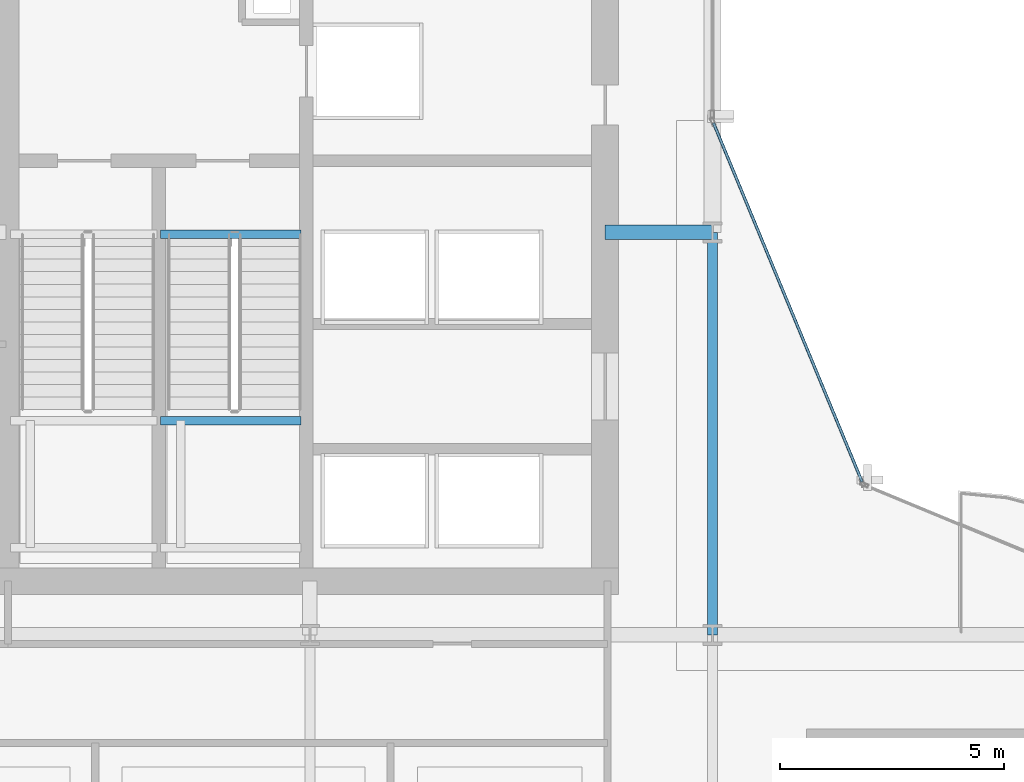
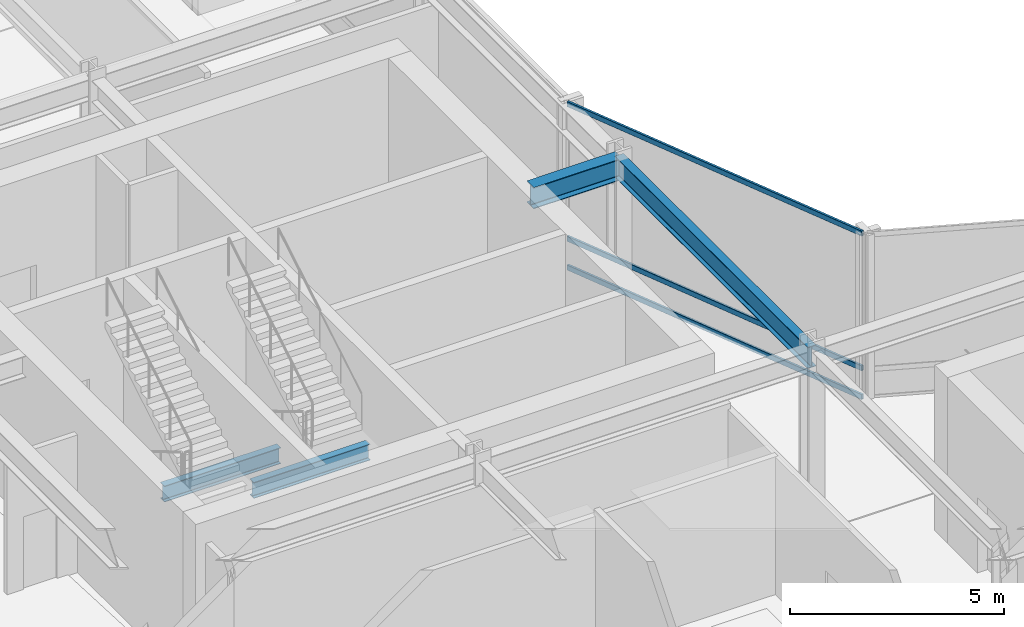
# One storey, part 22 of 39: 4 beams, 3 members, 1 element without a shape of its own.
"""IFC4 building model written with IfcOpenShell, lengths in metres."""

import ifcopenshell
import ifcopenshell.guid

model = None  # the IFC model being written
_history = None  # IfcOwnerHistory: only IFC2X3 demands one
_inside = {}  # id of a spatial element -> (the spatial element, [elements in it])
_under = {}  # id of a project, library or spatial element -> (it, [spatial elements below it])
_declared = {}  # id of a project -> (the project, [libraries it declares])
_typed = {}  # id of a type object -> (the type object, [elements of that type])
_made_of = {}  # id of a material, layer set ... -> (it, [elements and type objects made of it])


def new_model(schema):
    """Start an empty IFC model of exactly this schema.

    Asked for "IFC4X3", IfcOpenShell would pick the latest addendum, in which some entities
    have other attributes; the version numbers below select the first issue.
    IFC2X3 requires an IfcOwnerHistory on every rooted entity: one is made here for all.
    """
    global model, _history
    if schema == "IFC4X3":
        model = ifcopenshell.file(schema_version=(4, 3, 0, 0))
    else:
        model = ifcopenshell.file(schema=schema)
    _inside.clear()
    _under.clear()
    _declared.clear()
    _typed.clear()
    _made_of.clear()
    _history = None
    if model.schema == "IFC2X3":
        org = make("IfcOrganization", Name="unknown")
        user = make(
            "IfcPersonAndOrganization",
            ThePerson=make("IfcPerson", FamilyName="unknown"),
            TheOrganization=org,
        )
        app = make(
            "IfcApplication",
            ApplicationDeveloper=org,
            Version="unknown",
            ApplicationFullName="unknown",
            ApplicationIdentifier="unknown",
        )
        _history = make(
            "IfcOwnerHistory",
            OwningUser=user,
            OwningApplication=app,
            ChangeAction="ADDED",
            CreationDate=0,
        )
    return model


def make(cls, **values):
    """One entity of the class cls with the attributes given. An attribute that is None is left unset."""
    return model.create_entity(
        cls, **{name: value for name, value in values.items() if value is not None}
    )


def rooted(cls, **values):
    """An entity with a GlobalId (a new one), such as an element, a storey or a relation."""
    return make(cls, GlobalId=ifcopenshell.guid.new(), OwnerHistory=_history, **values)


def si_unit(unit_type, name, prefix=None):
    """IfcSIUnit, for example si_unit("LENGTHUNIT", "METRE", prefix="MILLI")."""
    return make("IfcSIUnit", UnitType=unit_type, Prefix=prefix, Name=name)


def assignment(units):
    """IfcUnitAssignment: the units of a project."""
    return None if units is None else make("IfcUnitAssignment", Units=units)


def point(xyz):
    """IfcCartesianPoint."""
    return None if xyz is None else make("IfcCartesianPoint", Coordinates=xyz)


def direction(xyz):
    """IfcDirection."""
    return None if xyz is None else make("IfcDirection", DirectionRatios=xyz)


def frame(location, z_axis=None, x_axis=None):
    """IfcAxis2Placement3D, a coordinate frame: its origin and axes. An axis left out is left unset."""
    return make(
        "IfcAxis2Placement3D",
        Location=point(location),
        Axis=direction(z_axis),
        RefDirection=direction(x_axis),
    )


def frame_2d(location, x_axis=None):
    """IfcAxis2Placement2D, a coordinate frame in the plane: its origin and x axis."""
    return make(
        "IfcAxis2Placement2D", Location=point(location), RefDirection=direction(x_axis)
    )


def origin():
    """The frame at (0, 0, 0) with its axes left unset."""
    return frame((0.0, 0.0, 0.0))


def origin_2d():
    """The frame at (0, 0) in the plane with its x axis left unset."""
    return frame_2d((0.0, 0.0))


def place(relative_to, where):
    """IfcLocalPlacement: puts the frame where relative to a parent placement (None: the world)."""
    return make(
        "IfcLocalPlacement", PlacementRelTo=relative_to, RelativePlacement=where
    )


def context(
    kind, dimensions, precision=None, world=None, true_north=None, identifier=None
):
    """IfcGeometricRepresentationContext, for example the 3D "Model" context."""
    return make(
        "IfcGeometricRepresentationContext",
        ContextIdentifier=identifier,
        ContextType=kind,
        CoordinateSpaceDimension=dimensions,
        Precision=precision,
        WorldCoordinateSystem=world,
        TrueNorth=true_north,
    )


def subcontext(parent, identifier, kind, view, scale=None):
    """IfcGeometricRepresentationSubContext, for example "Body" below "Model"."""
    return make(
        "IfcGeometricRepresentationSubContext",
        ContextIdentifier=identifier,
        ContextType=kind,
        ParentContext=parent,
        TargetScale=scale,
        TargetView=view,
    )


def project(units=None, contexts=None):
    """IfcProject with its units and contexts."""
    return rooted(
        "IfcProject",
        Name="project",
        RepresentationContexts=contexts,
        UnitsInContext=assignment(units),
    )


def spatial(cls, under=None, at=None, **own):
    """A site, building, storey or space (cls), placed at a placement, below another one or the project."""
    s = rooted(cls, ObjectPlacement=at, **own)
    if under is not None:
        _under.setdefault(under.id(), (under, []))[1].append(s)
    return s


def profile(cls, at=None, kind="AREA", **sizes):
    """A parametric profile (cls). Its sizes go by their IFC names, for example OverallWidth=200.0."""
    return make(cls, ProfileType=kind, Position=at, **sizes)


def hollow_rectangle(**sizes):
    """IfcRectangleHollowProfileDef."""
    return profile("IfcRectangleHollowProfileDef", **sizes)


def i_section(**sizes):
    """IfcIShapeProfileDef."""
    return profile("IfcIShapeProfileDef", **sizes)


def extrude(swept, where, along, depth):
    """IfcExtrudedAreaSolid: the profile swept, set in the frame where, extruded along a direction by depth."""
    return make(
        "IfcExtrudedAreaSolid",
        SweptArea=swept,
        Position=where,
        ExtrudedDirection=direction(along),
        Depth=depth,
    )


def shape(context_of_items, identifier, shape_type, items):
    """IfcShapeRepresentation: the items that make up one representation, for example the "Body"."""
    return make(
        "IfcShapeRepresentation",
        ContextOfItems=context_of_items,
        RepresentationIdentifier=identifier,
        RepresentationType=shape_type,
        Items=items,
    )


def material(Name=None, Category=None):
    """IfcMaterial."""
    return make("IfcMaterial", Name=Name, Category=Category)


def layer(
    of_material, thickness, ventilated=None, Name=None, Category=None, Priority=None
):
    """IfcMaterialLayer: one layer of a wall or slab, of a material (None: an air gap)."""
    return make(
        "IfcMaterialLayer",
        Material=of_material,
        LayerThickness=thickness,
        IsVentilated=ventilated,
        Name=Name,
        Category=Category,
        Priority=Priority,
    )


def layer_set(layers, Name=None):
    """IfcMaterialLayerSet."""
    return make("IfcMaterialLayerSet", MaterialLayers=layers, LayerSetName=Name)


def material_profile(
    of_material, cross_section, Name=None, Category=None, Priority=None
):
    """IfcMaterialProfile: a cross section and its material."""
    return make(
        "IfcMaterialProfile",
        Name=Name,
        Material=of_material,
        Profile=cross_section,
        Priority=Priority,
        Category=Category,
    )


def profile_set(profiles, Name=None, composite=None):
    """IfcMaterialProfileSet."""
    return make(
        "IfcMaterialProfileSet",
        Name=Name,
        MaterialProfiles=profiles,
        CompositeProfile=composite,
    )


def made_of(thing, what):
    """Note that an element or type object is made of a material, layer set ...; save() writes the relation."""
    if what is not None:
        _made_of.setdefault(what.id(), (what, []))[1].append(thing)
    return thing


def type_object(cls, material=None, **own):
    """A type object (cls), such as IfcWallType, which elements share."""
    return made_of(rooted(cls, **own), material)


def element(
    cls,
    number,
    at=None,
    inside=None,
    cuts=None,
    type_object=None,
    material=None,
    context=None,
    identifier="Body",
    shape_type=None,
    held_by="IfcProductDefinitionShape",
    body=None,
    shapes=None,
    **own,
):
    """One element of the class cls, such as IfcWall. Its Tag is "e" and its number.

    at: its placement. inside: the storey or other place that contains it. cuts: it is an
    opening in that element (IfcRelVoidsElement). A single representation is given by context,
    identifier, shape_type and body (its items); several are given by shapes. held_by: the class
    of the entity that holds the representations. save() writes the other relations.
    """
    e = rooted(cls, Tag="e%d" % number, ObjectPlacement=at, **own)
    if body is not None:
        shapes = [shape(context, identifier, shape_type, body)]
    if shapes is not None:
        e.Representation = make(held_by, Representations=shapes)
    if inside is not None:
        _inside.setdefault(inside.id(), (inside, []))[1].append(e)
    if cuts is not None:
        rooted(
            "IfcRelVoidsElement", RelatingBuildingElement=cuts, RelatedOpeningElement=e
        )
    if type_object is not None:
        _typed.setdefault(type_object.id(), (type_object, []))[1].append(e)
    return made_of(e, material)


def aggregate(whole, parts):
    """IfcRelAggregates: a whole, such as a stair, and the parts it consists of."""
    return rooted("IfcRelAggregates", RelatingObject=whole, RelatedObjects=parts)


def save(model, path):
    """Write the relations noted so far, then the file.

    IfcRelAggregates (storeys below a building ...), IfcRelContainedInSpatialStructure (elements
    in a storey), IfcRelDefinesByType, IfcRelAssociatesMaterial and IfcRelDeclares: one each for
    every whole, place, type object, material and project.
    """
    for whole, parts in _under.values():
        aggregate(whole, parts)
    for where, things in _inside.values():
        rooted(
            "IfcRelContainedInSpatialStructure",
            RelatedElements=things,
            RelatingStructure=where,
        )
    for kind, things in _typed.values():
        rooted("IfcRelDefinesByType", RelatedObjects=things, RelatingType=kind)
    for what, things in _made_of.values():
        rooted("IfcRelAssociatesMaterial", RelatedObjects=things, RelatingMaterial=what)
    for by, libraries in _declared.values():
        rooted("IfcRelDeclares", RelatingContext=by, RelatedDefinitions=libraries)
    model.write(path)


model = new_model("IFC4")

# Units and contexts
model_context = context("Model", 3, precision=1e-05, world=origin(), true_north=direction((0.0, 1.0)))
body_context = subcontext(model_context, "Body", "Model", "MODEL_VIEW")
ifc_project = project(units=[si_unit("LENGTHUNIT", "METRE"), si_unit("AREAUNIT", "SQUARE_METRE"), si_unit("VOLUMEUNIT", "CUBIC_METRE"), si_unit("PLANEANGLEUNIT", "RADIAN"), si_unit("MASSUNIT", "GRAM", prefix="KILO")], contexts=[model_context])

# Site, building, storey
site_placement = place(None, origin())
site = spatial("IfcSite", under=ifc_project, at=site_placement, CompositionType="ELEMENT")
building_placement = place(site_placement, origin())
building = spatial("IfcBuilding", under=site, at=building_placement, Name="Solvaryn Broadcast Tower", CompositionType="ELEMENT")
storey_placement = place(building_placement, frame((0.0, 0.0, 84.10009765625)))
storey = spatial("IfcBuildingStorey", under=building, at=storey_placement, Name="L20", CompositionType="ELEMENT", Elevation=84.10009765625)

# Beams
ifc_material_1 = material(Name="Steel ASTM A992 Grade 50", Category="steel")
ifc_material_profile_1 = material_profile(ifc_material_1, i_section(OverallWidth=0.323974609375, OverallDepth=0.611083984375, WebThickness=0.0126953125, FlangeThickness=0.01904296875, FilletRadius=0.014892578125, at=origin_2d()))
ifc_profile_set_1 = profile_set([ifc_material_profile_1], Name="Steel ASTM A992 Grade 50")
beam_type_1 = type_object("IfcBeamType", Name="BM-B1-W24X104", PredefinedType="BEAM", material=ifc_profile_set_1)
beam_1_placement = place(storey_placement, frame((24.60009765625, 36.0, 4.414306640625), z_axis=(1.0, 0.0, 0.0), x_axis=(0.0, 1.0, 0.0)))
element("IfcBeam", 1, at=beam_1_placement, inside=storey, type_object=beam_type_1, Name="L20 Core Tie Beam CTW2", PredefinedType="BEAM", context=body_context, shape_type="SweptSolid", body=[
    extrude(i_section(OverallWidth=0.323974609375, OverallDepth=0.611083984375, WebThickness=0.0126953125, FlangeThickness=0.01904296875, FilletRadius=0.014892578125, at=origin_2d()), origin(), (0.0, 0.0, 1.0), 2.39990234375),
])
ifc_material_2 = material(Name="Steel ASTM A992 Grade 50", Category="steel")
ifc_material_profile_2 = material_profile(ifc_material_2, i_section(OverallWidth=0.22802734375, OverallDepth=0.60791015625, WebThickness=0.01123046875, FlangeThickness=0.017333984375, FilletRadius=0.014892578125, at=origin_2d()))
ifc_profile_set_2 = profile_set([ifc_material_profile_2], Name="Steel ASTM A992 Grade 50")
beam_type_2 = type_object("IfcBeamType", Name="BM-B2-W24X76", PredefinedType="BEAM", material=ifc_profile_set_2)
beam_2_placement = place(storey_placement, frame((27.0, 27.0, 4.416015625), z_axis=(0.0, 1.0, 0.0), x_axis=(-1.0, 0.0, 0.0)))
element("IfcBeam", 2, at=beam_2_placement, inside=storey, type_object=beam_type_2, Name="L20 Primary Beam Y (27-36 @ X=27)", PredefinedType="BEAM", context=body_context, shape_type="SweptSolid", body=[
    extrude(i_section(OverallWidth=0.22802734375, OverallDepth=0.60791015625, WebThickness=0.01123046875, FlangeThickness=0.017333984375, FilletRadius=0.014892578125, at=origin_2d()), origin(), (0.0, 0.0, 1.0), 9.0),
])
ifc_material_3 = material(Name="Steel ASTM A992 Grade 50", Category="steel")
ifc_material_profile_3 = material_profile(ifc_material_3, i_section(OverallWidth=0.18994140625, OverallDepth=0.45703125, WebThickness=0.009033203125, FlangeThickness=0.014404296875, FilletRadius=0.011962890625, at=origin_2d()))
ifc_profile_set_3 = profile_set([ifc_material_profile_3], Name="Steel ASTM A992 Grade 50")
beam_type_3 = type_object("IfcBeamType", Name="BM-B4-W18X50", PredefinedType="BEAM", material=ifc_profile_set_3)
for number, where, z_axis, x_axis, name in (
    (3, (14.659912109375, 35.9599609375, -0.55859375), (1.0, 0.0, 0.0), (0.0, 1.0, 0.0), "L20 ST2 Stair Well Trimmer Beam"),
    (4, (14.659912109375, 31.7900390625, 2.0712890625), (1.0, 0.0, 0.0), (0.0, 1.0, 0.0), "L20 ST2 Landing Support Beam 1B"),
):
    element("IfcBeam", number, at=place(storey_placement, frame(where, z_axis=z_axis, x_axis=x_axis)), inside=storey, type_object=beam_type_3, Name=name, PredefinedType="BEAM", context=body_context, shape_type="SweptSolid", body=[
        extrude(i_section(OverallWidth=0.18994140625, OverallDepth=0.45703125, WebThickness=0.009033203125, FlangeThickness=0.014404296875, FilletRadius=0.011962890625, at=origin_2d()), origin(), (0.0, 0.0, 1.0), 3.14013671875),
    ])

# Curtain wall, members
ifc_material_4 = material(Name="Aluminium and Terracotta Unitised Curtain Wall", Category="masonry")
ifc_layer = layer(ifc_material_4, 0.25)
ifc_layer_set = layer_set([ifc_layer], Name="CW-SYS4-SKYGARDEN")
curtain_wall_type = type_object("IfcCurtainWallType", Name="CW-SYS4-SKYGARDEN", PredefinedType="NOTDEFINED", material=ifc_layer_set)
curtain_wall_placement = place(storey_placement, origin())
curtain_wall = element("IfcCurtainWall", 5, at=curtain_wall_placement, inside=storey, type_object=curtain_wall_type, Name="L20 Curtain Wall CN2", PredefinedType="NOTDEFINED")
ifc_material_5 = material(Name="Anodised Aluminium 6063-T6", Category="aluminium")
ifc_material_profile_4 = material_profile(ifc_material_5, hollow_rectangle(XDim=0.06494140625, YDim=0.14990234375, WallThickness=0.00390625, InnerFilletRadius=0.00390625, OuterFilletRadius=0.008056640625, at=origin_2d()))
ifc_profile_set_4 = profile_set([ifc_material_profile_4], Name="Anodised Aluminium 6063-T6")
member_type = type_object("IfcMemberType", Name="CW-TRN-150", PredefinedType="USERDEFINED", material=ifc_profile_set_4)
member_1_placement = place(storey_placement, frame((30.344970703125, 30.42333984375, 0.02978515625), z_axis=(-0.382635748975, 0.923899282177, 0.0), x_axis=(-0.923899282177, -0.382635748975, 0.0)))
member_1 = element("IfcMember", 6, at=member_1_placement, type_object=member_type, Name="CWS4 transom 1.1", ObjectType="TRANSOM", PredefinedType="USERDEFINED", context=body_context, shape_type="SweptSolid", body=[
    extrude(hollow_rectangle(XDim=0.06494140625, YDim=0.14990234375, WallThickness=0.00390625, InnerFilletRadius=0.00390625, OuterFilletRadius=0.008056640625, at=origin_2d()), origin(), (0.0, 0.0, 1.0), 8.681884765625),
])
member_2_placement = place(storey_placement, frame((30.344970703125, 30.42333984375, 0.849853515625), z_axis=(-0.382635748975, 0.923899282177, 0.0), x_axis=(-0.923899282177, -0.382635748975, 0.0)))
member_2 = element("IfcMember", 7, at=member_2_placement, type_object=member_type, Name="CWS4 transom 1.2", ObjectType="TRANSOM", PredefinedType="USERDEFINED", context=body_context, shape_type="SweptSolid", body=[
    extrude(hollow_rectangle(XDim=0.06494140625, YDim=0.14990234375, WallThickness=0.00390625, InnerFilletRadius=0.00390625, OuterFilletRadius=0.008056640625, at=origin_2d()), origin(), (0.0, 0.0, 1.0), 8.681884765625),
])
member_3_placement = place(storey_placement, frame((30.344970703125, 30.42333984375, 4.68994140625), z_axis=(-0.382635748975, 0.923899282177, 0.0), x_axis=(-0.923899282177, -0.382635748975, 0.0)))
member_3 = element("IfcMember", 8, at=member_3_placement, type_object=member_type, Name="CWS4 transom 1.3", ObjectType="TRANSOM", PredefinedType="USERDEFINED", context=body_context, shape_type="SweptSolid", body=[
    extrude(hollow_rectangle(XDim=0.06494140625, YDim=0.14990234375, WallThickness=0.00390625, InnerFilletRadius=0.00390625, OuterFilletRadius=0.008056640625, at=origin_2d()), origin(), (0.0, 0.0, 1.0), 8.681884765625),
])
aggregate(curtain_wall, [member_1, member_2, member_3])

save(model, "model.ifc")
